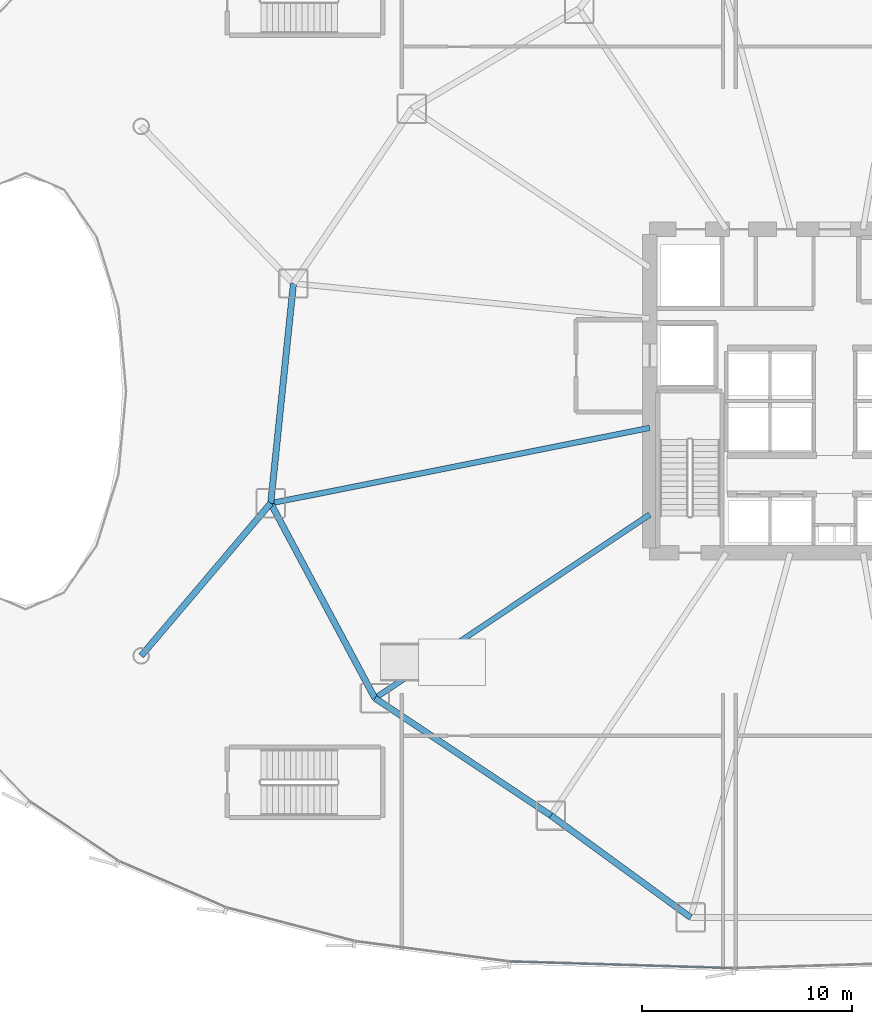
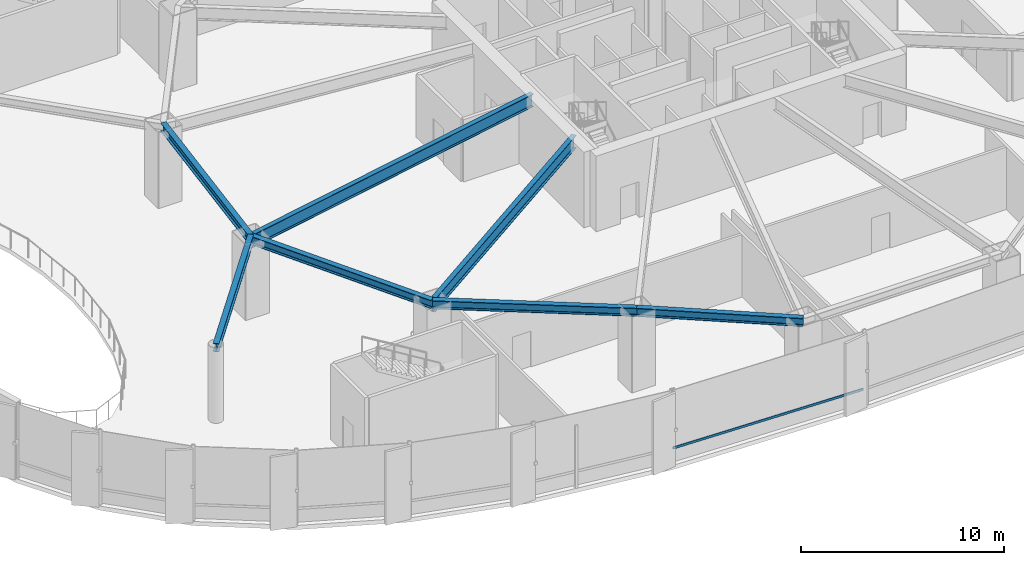
# One storey, part 5 of 33: 7 beams, 1 member, 1 element without a shape of its own.
"""IFC4 building model written with IfcOpenShell, lengths in metres."""

from ifc_helpers import new_model, si_unit, direction, frame, origin, origin_2d, place, context, subcontext, project, spatial, hollow_rectangle, i_section, extrude, source, transform, mapped, material, layer, layer_set, material_profile, profile_set, type_object, element, aggregate, save


model = new_model("IFC4")

# Units and contexts
model_context = context("Model", 3, precision=1e-05, world=origin(), true_north=direction((0.0, 1.0)))
body_context = subcontext(model_context, "Body", "Model", "MODEL_VIEW")
ifc_project = project(units=[si_unit("LENGTHUNIT", "METRE"), si_unit("AREAUNIT", "SQUARE_METRE"), si_unit("VOLUMEUNIT", "CUBIC_METRE"), si_unit("PLANEANGLEUNIT", "RADIAN"), si_unit("MASSUNIT", "GRAM", prefix="KILO"), si_unit("THERMODYNAMICTEMPERATUREUNIT", "KELVIN")], contexts=[model_context])

# Site, building, storey
site_placement = place(None, origin())
site = spatial("IfcSite", under=ifc_project, at=site_placement, CompositionType="ELEMENT")
building_placement = place(site_placement, origin())
building = spatial("IfcBuilding", under=site, at=building_placement, Name="Kethvar Cultural Tower", CompositionType="ELEMENT")
storey_placement = place(building_placement, frame((0.0, 0.0, 10.0)))
storey = spatial("IfcBuildingStorey", under=building, at=storey_placement, Name="L02", CompositionType="ELEMENT", Elevation=10.0)

# Beams
ifc_material_1 = material(Name="Steel S355J2", Category="steel")
ifc_material_profile_1 = material_profile(ifc_material_1, i_section(OverallWidth=0.300048828125, OverallDepth=0.5, WebThickness=0.014404296875, FlangeThickness=0.028076171875, FilletRadius=0.027099609375, at=origin_2d()), Name="Steel S355J2 — HEB500")
ifc_profile_set_1 = profile_set([ifc_material_profile_1], Name="Steel S355J2 — HEB500")
beam_type_1 = type_object("IfcBeamType", Name="BM-SP500", PredefinedType="SPANDREL", material=ifc_profile_set_1)
shared_shape_1 = source(origin(), body_context, "Body", "SweptSolid", [
    extrude(i_section(OverallWidth=0.300048828125, OverallDepth=0.5, WebThickness=0.014404296875, FlangeThickness=0.028076171875, FilletRadius=0.027099609375, at=origin_2d()), origin(), (0.0, 0.0, 1.0), 10.515869140625),
])
beam_1_placement = place(storey_placement, frame((21.047119140625, 32.922607421875, 4.278076171875), z_axis=(-0.102824694973, -0.994699493367, 0.0), x_axis=(0.994699493367, -0.102824694973, 0.0)))
element("IfcBeam", 1, at=beam_1_placement, inside=storey, type_object=beam_type_1, Name="L02 Podium Ring Beam 08", PredefinedType="SPANDREL", context=body_context, shape_type="MappedRepresentation", body=[
    mapped(shared_shape_1, transform((0.0, 0.0, 0.0), scale=1.0)),
])
shared_shape_2 = source(origin(), body_context, "Body", "SweptSolid", [
    extrude(i_section(OverallWidth=0.300048828125, OverallDepth=0.5, WebThickness=0.014404296875, FlangeThickness=0.028076171875, FilletRadius=0.027099609375, at=origin_2d()), origin(), (0.0, 0.0, 1.0), 10.52099609375),
])
beam_2_placement = place(storey_placement, frame((19.9658203125, 22.46240234375, 4.278076171875), z_axis=(0.471339616984, -0.881951793162, 0.0), x_axis=(0.881951793162, 0.471339616984, 0.0)))
element("IfcBeam", 2, at=beam_2_placement, inside=storey, type_object=beam_type_1, Name="L02 Podium Ring Beam 09", PredefinedType="SPANDREL", context=body_context, shape_type="MappedRepresentation", body=[
    mapped(shared_shape_2, transform((0.0, 0.0, 0.0), scale=1.0)),
])
shared_shape_3 = source(origin(), body_context, "Body", "SweptSolid", [
    extrude(i_section(OverallWidth=0.300048828125, OverallDepth=0.5, WebThickness=0.014404296875, FlangeThickness=0.028076171875, FilletRadius=0.027099609375, at=origin_2d()), origin(), (0.0, 0.0, 1.0), 10.06787109375),
])
beam_3_placement = place(storey_placement, frame((24.9248046875, 13.183349609375, 4.278076171875), z_axis=(0.832065216665, -0.554677812083, 0.0), x_axis=(0.554677812083, 0.832065216665, 0.0)))
element("IfcBeam", 3, at=beam_3_placement, inside=storey, type_object=beam_type_1, Name="L02 Podium Ring Beam 10", PredefinedType="SPANDREL", context=body_context, shape_type="MappedRepresentation", body=[
    mapped(shared_shape_3, transform((0.0, 0.0, 0.0), scale=1.0)),
])
shared_shape_4 = source(origin(), body_context, "Body", "SweptSolid", [
    extrude(i_section(OverallWidth=0.300048828125, OverallDepth=0.5, WebThickness=0.014404296875, FlangeThickness=0.028076171875, FilletRadius=0.027099609375, at=origin_2d()), origin(), (0.0, 0.0, 1.0), 8.228515625),
])
beam_4_placement = place(storey_placement, frame((33.302001953125, 7.598876953125, 4.278076171875), z_axis=(0.807925716462, -0.589284342808, 0.0), x_axis=(0.589284342808, 0.807925716462, 0.0)))
element("IfcBeam", 4, at=beam_4_placement, inside=storey, type_object=beam_type_1, Name="L02 Podium Ring Beam 11", PredefinedType="SPANDREL", context=body_context, shape_type="MappedRepresentation", body=[
    mapped(shared_shape_4, transform((0.0, 0.0, 0.0), scale=1.0)),
])
shared_shape_5 = source(origin(), body_context, "Body", "SweptSolid", [
    extrude(i_section(OverallWidth=0.300048828125, OverallDepth=0.5, WebThickness=0.014404296875, FlangeThickness=0.028076171875, FilletRadius=0.027099609375, at=origin_2d()), origin(), (0.0, 0.0, 1.0), 9.52685546875),
])
beam_5_placement = place(storey_placement, frame((13.800048828125, 15.199951171875, 4.278076171875), z_axis=(0.647202724352, 0.762317934717, 0.0), x_axis=(-0.762317934717, 0.647202724352, 0.0)))
element("IfcBeam", 5, at=beam_5_placement, inside=storey, type_object=beam_type_1, Name="L02 West Atrium Wing Beam 01", PredefinedType="SPANDREL", context=body_context, shape_type="MappedRepresentation", body=[
    mapped(shared_shape_5, transform((0.0, 0.0, 0.0), scale=1.0)),
])
ifc_material_profile_2 = material_profile(ifc_material_1, i_section(OverallWidth=0.26708984375, OverallDepth=0.761962890625, WebThickness=0.014404296875, FlangeThickness=0.021484375, FilletRadius=0.01708984375, at=origin_2d()), Name="Steel S355J2 — IPE750x173")
ifc_profile_set_2 = profile_set([ifc_material_profile_2], Name="Steel S355J2 — IPE750x173")
beam_type_2 = type_object("IfcBeamType", Name="BM-IPE750", PredefinedType="BEAM", material=ifc_profile_set_2)
shared_shape_6 = source(origin(), body_context, "Body", "SweptSolid", [
    extrude(i_section(OverallWidth=0.26708984375, OverallDepth=0.761962890625, WebThickness=0.014404296875, FlangeThickness=0.021484375, FilletRadius=0.01708984375, at=origin_2d()), origin(), (0.0, 0.0, 1.0), 18.387451171875),
])
beam_6_placement = place(storey_placement, frame((38.0, 26.049560546875, 4.14697265625), z_axis=(-0.980785937774, -0.195087017162, 0.0), x_axis=(0.195087017162, -0.980785937774, 0.0)))
element("IfcBeam", 6, at=beam_6_placement, inside=storey, type_object=beam_type_2, Name="L02 Podium Radial Girder 09", PredefinedType="BEAM", context=body_context, shape_type="MappedRepresentation", body=[
    mapped(shared_shape_6, transform((0.0, 0.0, 0.0), scale=1.0)),
])
shared_shape_7 = source(origin(), body_context, "Body", "SweptSolid", [
    extrude(i_section(OverallWidth=0.26708984375, OverallDepth=0.761962890625, WebThickness=0.014404296875, FlangeThickness=0.021484375, FilletRadius=0.01708984375, at=origin_2d()), origin(), (0.0, 0.0, 1.0), 15.725341796875),
])
beam_7_placement = place(storey_placement, frame((38.0, 21.919921875, 4.14697265625), z_axis=(-0.831469433959, -0.555570499929, 0.0), x_axis=(0.555570499929, -0.831469433959, 0.0)))
element("IfcBeam", 7, at=beam_7_placement, inside=storey, type_object=beam_type_2, Name="L02 Podium Radial Girder 10", PredefinedType="BEAM", context=body_context, shape_type="MappedRepresentation", body=[
    mapped(shared_shape_7, transform((0.0, 0.0, 0.0), scale=1.0)),
])

# Curtain wall, member
ifc_material_2 = material(Name="Aluminium 6063-T6", Category="aluminium")
ifc_layer = layer(ifc_material_2, 0.179931640625, Name="Aluminium 6063-T6", Category="aluminium")
ifc_layer_set = layer_set([ifc_layer], Name="Aluminium 6063-T6 (180 mm)")
curtain_wall_type = type_object("IfcCurtainWallType", Name="CW-SYS-01-POD", PredefinedType="NOTDEFINED", material=ifc_layer_set)
curtain_wall_placement = place(storey_placement, origin())
curtain_wall = element("IfcCurtainWall", 8, at=curtain_wall_placement, inside=storey, type_object=curtain_wall_type, Name="L02 Curtain Wall Run 05", PredefinedType="NOTDEFINED")
ifc_material_profile_3 = material_profile(ifc_material_2, hollow_rectangle(XDim=0.06005859375, YDim=0.139892578125, WallThickness=0.0048828125, at=origin_2d()), Name="Aluminium 6063-T6 — RHS140x60x5")
ifc_profile_set_3 = profile_set([ifc_material_profile_3], Name="Aluminium 6063-T6 — RHS140x60x5")
member_type = type_object("IfcMemberType", Name="CW-SYS-01-POD-TRN", PredefinedType="USERDEFINED", material=ifc_profile_set_3)
shared_shape_8 = source(origin(), body_context, "Body", "SweptSolid", [
    extrude(hollow_rectangle(XDim=0.06005859375, YDim=0.139892578125, WallThickness=0.0048828125, at=origin_2d()), origin(), (0.0, 0.0, 1.0), 10.61279296875),
])
member_placement = place(storey_placement, frame((31.342041015625, 0.6513671875, 0.949951171875), z_axis=(0.999545810513, -0.030135903608, 0.0), x_axis=(0.030135903608, 0.999545810513, 0.0)))
member = element("IfcMember", 9, at=member_placement, type_object=member_type, Name="CW-L02-R05 Transom 1", ObjectType="TRANSOM", PredefinedType="USERDEFINED", context=body_context, shape_type="MappedRepresentation", body=[
    mapped(shared_shape_8, transform((0.0, 0.0, 0.0), scale=1.0)),
])
aggregate(curtain_wall, [member])

save(model, "model.ifc")
